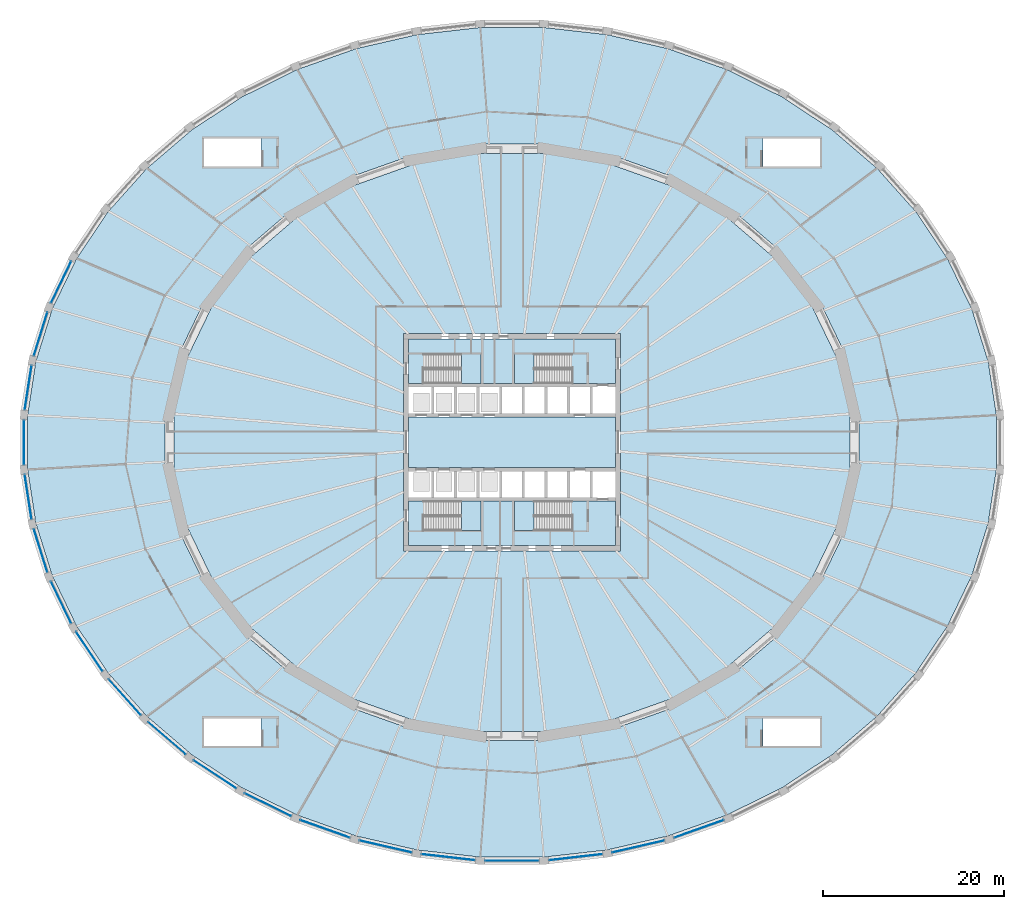
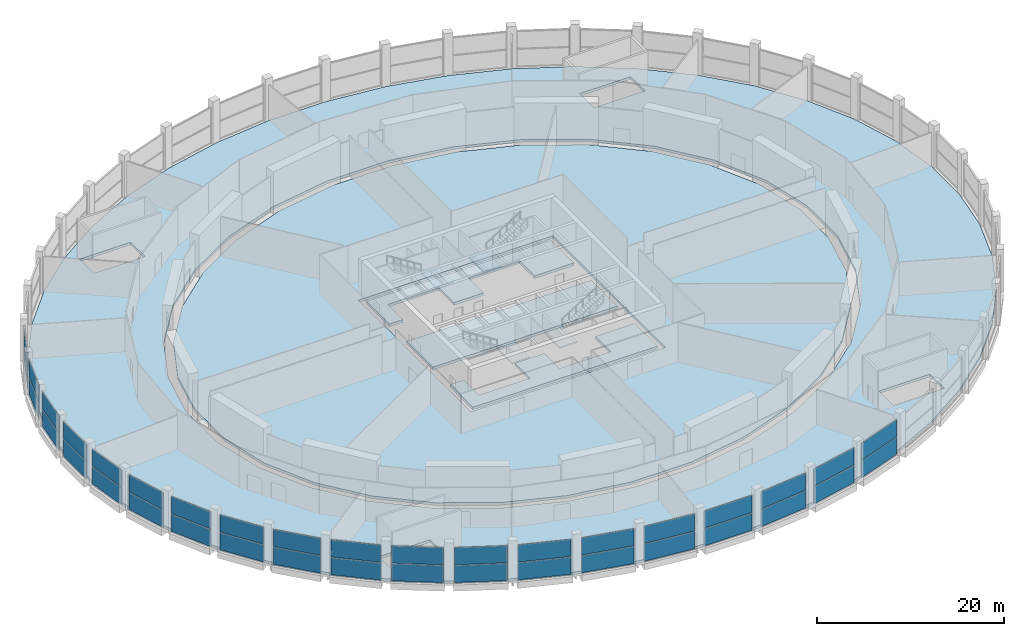
# One storey, part 17 of 26: 38 plates, 9 slabs, 23 elements without a shape of their own.
"""IFC4 building model written with IfcOpenShell, lengths in metres."""

from ifc_helpers import new_model, si_unit, direction, frame, origin, origin_2d, place, context, subcontext, project, spatial, polyline, rectangle, outline, extrude, material, layer, layer_set, type_object, element, aggregate, save


model = new_model("IFC4")

# Units and contexts
model_context = context("Model", 3, precision=1e-05, world=origin(), true_north=direction((0.0, 1.0)))
body_context = subcontext(model_context, "Body", "Model", "MODEL_VIEW")
ifc_project = project(units=[si_unit("LENGTHUNIT", "METRE"), si_unit("AREAUNIT", "SQUARE_METRE"), si_unit("VOLUMEUNIT", "CUBIC_METRE"), si_unit("PLANEANGLEUNIT", "RADIAN"), si_unit("MASSUNIT", "GRAM", prefix="KILO")], contexts=[model_context])

# Site, building, storey
site_placement = place(None, origin())
site = spatial("IfcSite", under=ifc_project, at=site_placement, CompositionType="ELEMENT")
building_placement = place(site_placement, origin())
building = spatial("IfcBuilding", under=site, at=building_placement, Name="Halqa Exchange Tower", CompositionType="ELEMENT")
storey_placement = place(building_placement, frame((0.0, 0.0, 18.0)))
storey = spatial("IfcBuildingStorey", under=building, at=storey_placement, Name="L03", CompositionType="ELEMENT", Elevation=18.0)

# Slabs
ifc_material_1 = material(Name="Concrete C60/75", Category="concrete")
ifc_layer_1 = layer(ifc_material_1, 0.35009765625)
ifc_layer_set_1 = layer_set([ifc_layer_1], Name="Concrete C60/75")
slab_type_1 = type_object("IfcSlabType", Name="Core floor slab 350", PredefinedType="FLOOR", material=ifc_layer_set_1)
slab_1_placement = place(storey_placement, frame((0.0, 0.0, -0.35009765625)))
element("IfcSlab", 1, at=slab_1_placement, inside=storey, type_object=slab_type_1, Name="Core floor slab", PredefinedType="FLOOR", context=body_context, shape_type="SweptSolid", body=[
    extrude(outline(polyline([(-11.39990234375, 2.800048828125), (11.39990234375, 2.800048828125), (11.39990234375, -2.800048828125), (-11.39990234375, -2.800048828125), (-11.39990234375, 2.800048828125)])), origin(), (0.0, 0.0, 1.0), 0.35009765625),
])
slab_2_placement = place(storey_placement, frame((0.0, 0.0, -0.35009765625)))
element("IfcSlab", 2, at=slab_2_placement, inside=storey, type_object=slab_type_1, Name="Core floor slab", PredefinedType="FLOOR", context=body_context, shape_type="SweptSolid", body=[
    extrude(outline(polyline([(-11.39990234375, 11.39990234375), (11.39990234375, 11.39990234375), (11.39990234375, 6.5), (6.550048828125, 6.5), (6.550048828125, 9.75), (0.25, 9.75), (0.25, 6.5), (-3.39990234375, 6.5), (-3.39990234375, 9.75), (-9.699951171875, 9.75), (-9.699951171875, 6.5), (-11.39990234375, 6.5), (-11.39990234375, 11.39990234375)])), origin(), (0.0, 0.0, 1.0), 0.35009765625),
])
slab_3_placement = place(storey_placement, frame((0.0, 0.0, -0.35009765625)))
element("IfcSlab", 3, at=slab_3_placement, inside=storey, type_object=slab_type_1, Name="Core floor slab", PredefinedType="FLOOR", context=body_context, shape_type="SweptSolid", body=[
    extrude(outline(polyline([(-9.699951171875, -9.75), (-3.39990234375, -9.75), (-3.39990234375, -6.5), (0.25, -6.5), (0.25, -9.75), (6.550048828125, -9.75), (6.550048828125, -6.5), (11.39990234375, -6.5), (11.39990234375, -11.39990234375), (-11.39990234375, -11.39990234375), (-11.39990234375, -6.5), (-9.699951171875, -6.5), (-9.699951171875, -9.75)])), origin(), (0.0, 0.0, 1.0), 0.35009765625),
])

# Curtain wall, plates
ifc_material_2 = material(Name="Anodised aluminium and clear glass", Category="aluminium")
curtain_wall_type = type_object("IfcCurtainWallType", Name="Exchange hall glazing", PredefinedType="NOTDEFINED", material=ifc_material_2)
curtain_wall_1_placement = place(storey_placement, origin())
curtain_wall_1 = element("IfcCurtainWall", 4, at=curtain_wall_1_placement, inside=storey, type_object=curtain_wall_type, Name="Exchange hall glazing run P21", PredefinedType="NOTDEFINED")
ifc_material_3 = material(Name="Clear glass", Category="glass")
ifc_layer_2 = layer(ifc_material_3, 0.035888671875)
ifc_layer_set_2 = layer_set([ifc_layer_2], Name="Clear glass")
plate_type = type_object("IfcPlateType", Name="Laminated clear glass panel 36", PredefinedType="CURTAIN_PANEL", material=ifc_layer_set_2)
plate_1_placement = place(storey_placement, frame((-49.78271484375, 17.680419921875, 0.06982421875), z_axis=(0.0, 0.0, 1.0), x_axis=(-0.434989864727, -0.90043534892, 0.0)))
plate_1 = element("IfcPlate", 5, at=plate_1_placement, type_object=plate_type, Name="P21 panel 1.1", PredefinedType="CURTAIN_PANEL", context=body_context, shape_type="SweptSolid", body=[
    extrude(rectangle(XDim=5.07421875, YDim=0.035888671875, at=origin_2d()), origin(), (0.0, 0.0, 1.0), 2.2451171875),
])
plate_2_placement = place(storey_placement, frame((-49.78271484375, 17.680419921875, 2.385009765625), z_axis=(0.0, 0.0, 1.0), x_axis=(-0.434989864727, -0.90043534892, 0.0)))
plate_2 = element("IfcPlate", 6, at=plate_2_placement, type_object=plate_type, Name="P21 panel 1.2", PredefinedType="CURTAIN_PANEL", context=body_context, shape_type="SweptSolid", body=[
    extrude(rectangle(XDim=5.07421875, YDim=0.035888671875, at=origin_2d()), origin(), (0.0, 0.0, 1.0), 2.2451171875),
])
aggregate(curtain_wall_1, [plate_1, plate_2])

curtain_wall_2_placement = place(storey_placement, origin())
curtain_wall_2 = element("IfcCurtainWall", 7, at=curtain_wall_2_placement, inside=storey, type_object=curtain_wall_type, Name="Exchange hall glazing run P22", PredefinedType="NOTDEFINED")
plate_3_placement = place(storey_placement, frame((-52.04833984375, 11.957763671875, 0.06982421875), z_axis=(0.0, 0.0, 1.0), x_axis=(-0.298302746613, -0.95447130463, 0.0)))
plate_3 = element("IfcPlate", 8, at=plate_3_placement, type_object=plate_type, Name="P22 panel 1.1", PredefinedType="CURTAIN_PANEL", context=body_context, shape_type="SweptSolid", body=[
    extrude(rectangle(XDim=4.989013671875, YDim=0.035888671875, at=origin_2d()), origin(), (0.0, 0.0, 1.0), 2.2451171875),
])
plate_4_placement = place(storey_placement, frame((-52.04833984375, 11.957763671875, 2.385009765625), z_axis=(0.0, 0.0, 1.0), x_axis=(-0.298302746613, -0.95447130463, 0.0)))
plate_4 = element("IfcPlate", 9, at=plate_4_placement, type_object=plate_type, Name="P22 panel 1.2", PredefinedType="CURTAIN_PANEL", context=body_context, shape_type="SweptSolid", body=[
    extrude(rectangle(XDim=4.989013671875, YDim=0.035888671875, at=origin_2d()), origin(), (0.0, 0.0, 1.0), 2.2451171875),
])
aggregate(curtain_wall_2, [plate_3, plate_4])

curtain_wall_3_placement = place(storey_placement, origin())
curtain_wall_3 = element("IfcCurtainWall", 10, at=curtain_wall_3_placement, inside=storey, type_object=curtain_wall_type, Name="Exchange hall glazing run P23", PredefinedType="NOTDEFINED")
plate_5_placement = place(storey_placement, frame((-53.42333984375, 6.030517578125, 0.06982421875), z_axis=(0.0, 0.0, 1.0), x_axis=(-0.151766957898, -0.988416304241, 0.0)))
plate_5 = element("IfcPlate", 11, at=plate_5_placement, type_object=plate_type, Name="P23 panel 1.1", PredefinedType="CURTAIN_PANEL", context=body_context, shape_type="SweptSolid", body=[
    extrude(rectangle(XDim=4.934814453125, YDim=0.035888671875, at=origin_2d()), origin(), (0.0, 0.0, 1.0), 2.2451171875),
])
plate_6_placement = place(storey_placement, frame((-53.42333984375, 6.030517578125, 2.385009765625), z_axis=(0.0, 0.0, 1.0), x_axis=(-0.151766957898, -0.988416304241, 0.0)))
plate_6 = element("IfcPlate", 12, at=plate_6_placement, type_object=plate_type, Name="P23 panel 1.2", PredefinedType="CURTAIN_PANEL", context=body_context, shape_type="SweptSolid", body=[
    extrude(rectangle(XDim=4.934814453125, YDim=0.035888671875, at=origin_2d()), origin(), (0.0, 0.0, 1.0), 2.2451171875),
])
aggregate(curtain_wall_3, [plate_5, plate_6])

curtain_wall_4_placement = place(storey_placement, origin())
curtain_wall_4 = element("IfcCurtainWall", 13, at=curtain_wall_4_placement, inside=storey, type_object=curtain_wall_type, Name="Exchange hall glazing run P24", PredefinedType="NOTDEFINED")
plate_7_placement = place(storey_placement, frame((-53.884521484375, 0.0, 0.06982421875), z_axis=(0.0, 0.0, 1.0), x_axis=(0.0, -1.0, 0.0)))
plate_7 = element("IfcPlate", 14, at=plate_7_placement, type_object=plate_type, Name="P24 panel 1.1", PredefinedType="CURTAIN_PANEL", context=body_context, shape_type="SweptSolid", body=[
    extrude(rectangle(XDim=4.91650390625, YDim=0.035888671875, at=origin_2d()), origin(), (0.0, 0.0, 1.0), 2.2451171875),
])
plate_8_placement = place(storey_placement, frame((-53.884521484375, 0.0, 2.385009765625), z_axis=(0.0, 0.0, 1.0), x_axis=(0.0, -1.0, 0.0)))
plate_8 = element("IfcPlate", 15, at=plate_8_placement, type_object=plate_type, Name="P24 panel 1.2", PredefinedType="CURTAIN_PANEL", context=body_context, shape_type="SweptSolid", body=[
    extrude(rectangle(XDim=4.91650390625, YDim=0.035888671875, at=origin_2d()), origin(), (0.0, 0.0, 1.0), 2.2451171875),
])
aggregate(curtain_wall_4, [plate_7, plate_8])

curtain_wall_5_placement = place(storey_placement, origin())
curtain_wall_5 = element("IfcCurtainWall", 16, at=curtain_wall_5_placement, inside=storey, type_object=curtain_wall_type, Name="Exchange hall glazing run P25", PredefinedType="NOTDEFINED")
plate_9_placement = place(storey_placement, frame((-53.42333984375, -6.030517578125, 0.06982421875), z_axis=(0.0, 0.0, 1.0), x_axis=(0.151766957898, -0.988416304241, 0.0)))
plate_9 = element("IfcPlate", 17, at=plate_9_placement, type_object=plate_type, Name="P25 panel 1.1", PredefinedType="CURTAIN_PANEL", context=body_context, shape_type="SweptSolid", body=[
    extrude(rectangle(XDim=4.934814453125, YDim=0.035888671875, at=origin_2d()), origin(), (0.0, 0.0, 1.0), 2.2451171875),
])
plate_10_placement = place(storey_placement, frame((-53.42333984375, -6.030517578125, 2.385009765625), z_axis=(0.0, 0.0, 1.0), x_axis=(0.151766957898, -0.988416304241, 0.0)))
plate_10 = element("IfcPlate", 18, at=plate_10_placement, type_object=plate_type, Name="P25 panel 1.2", PredefinedType="CURTAIN_PANEL", context=body_context, shape_type="SweptSolid", body=[
    extrude(rectangle(XDim=4.934814453125, YDim=0.035888671875, at=origin_2d()), origin(), (0.0, 0.0, 1.0), 2.2451171875),
])
aggregate(curtain_wall_5, [plate_9, plate_10])

curtain_wall_6_placement = place(storey_placement, origin())
curtain_wall_6 = element("IfcCurtainWall", 19, at=curtain_wall_6_placement, inside=storey, type_object=curtain_wall_type, Name="Exchange hall glazing run P26", PredefinedType="NOTDEFINED")
plate_11_placement = place(storey_placement, frame((-52.04833984375, -11.957763671875, 0.06982421875), z_axis=(0.0, 0.0, 1.0), x_axis=(0.298302746613, -0.95447130463, 0.0)))
plate_11 = element("IfcPlate", 20, at=plate_11_placement, type_object=plate_type, Name="P26 panel 1.1", PredefinedType="CURTAIN_PANEL", context=body_context, shape_type="SweptSolid", body=[
    extrude(rectangle(XDim=4.989013671875, YDim=0.035888671875, at=origin_2d()), origin(), (0.0, 0.0, 1.0), 2.2451171875),
])
plate_12_placement = place(storey_placement, frame((-52.04833984375, -11.957763671875, 2.385009765625), z_axis=(0.0, 0.0, 1.0), x_axis=(0.298302746613, -0.95447130463, 0.0)))
plate_12 = element("IfcPlate", 21, at=plate_12_placement, type_object=plate_type, Name="P26 panel 1.2", PredefinedType="CURTAIN_PANEL", context=body_context, shape_type="SweptSolid", body=[
    extrude(rectangle(XDim=4.989013671875, YDim=0.035888671875, at=origin_2d()), origin(), (0.0, 0.0, 1.0), 2.2451171875),
])
aggregate(curtain_wall_6, [plate_11, plate_12])

curtain_wall_7_placement = place(storey_placement, origin())
curtain_wall_7 = element("IfcCurtainWall", 22, at=curtain_wall_7_placement, inside=storey, type_object=curtain_wall_type, Name="Exchange hall glazing run P27", PredefinedType="NOTDEFINED")
plate_13_placement = place(storey_placement, frame((-49.78271484375, -17.680419921875, 0.06982421875), z_axis=(0.0, 0.0, 1.0), x_axis=(0.434989864727, -0.90043534892, 0.0)))
plate_13 = element("IfcPlate", 23, at=plate_13_placement, type_object=plate_type, Name="P27 panel 1.1", PredefinedType="CURTAIN_PANEL", context=body_context, shape_type="SweptSolid", body=[
    extrude(rectangle(XDim=5.07421875, YDim=0.035888671875, at=origin_2d()), origin(), (0.0, 0.0, 1.0), 2.2451171875),
])
plate_14_placement = place(storey_placement, frame((-49.78271484375, -17.680419921875, 2.385009765625), z_axis=(0.0, 0.0, 1.0), x_axis=(0.434989864727, -0.90043534892, 0.0)))
plate_14 = element("IfcPlate", 24, at=plate_14_placement, type_object=plate_type, Name="P27 panel 1.2", PredefinedType="CURTAIN_PANEL", context=body_context, shape_type="SweptSolid", body=[
    extrude(rectangle(XDim=5.07421875, YDim=0.035888671875, at=origin_2d()), origin(), (0.0, 0.0, 1.0), 2.2451171875),
])
aggregate(curtain_wall_7, [plate_13, plate_14])

curtain_wall_8_placement = place(storey_placement, origin())
curtain_wall_8 = element("IfcCurtainWall", 25, at=curtain_wall_8_placement, inside=storey, type_object=curtain_wall_type, Name="Exchange hall glazing run P28", PredefinedType="NOTDEFINED")
plate_15_placement = place(storey_placement, frame((-46.665283203125, -23.100341796875, 0.06982421875), z_axis=(0.0, 0.0, 1.0), x_axis=(0.55852230535, -0.8294895023, 0.0)))
plate_15 = element("IfcPlate", 26, at=plate_15_placement, type_object=plate_type, Name="P28 panel 1.1", PredefinedType="CURTAIN_PANEL", context=body_context, shape_type="SweptSolid", body=[
    extrude(rectangle(XDim=5.18310546875, YDim=0.035888671875, at=origin_2d()), origin(), (0.0, 0.0, 1.0), 2.2451171875),
])
plate_16_placement = place(storey_placement, frame((-46.665283203125, -23.100341796875, 2.385009765625), z_axis=(0.0, 0.0, 1.0), x_axis=(0.55852230535, -0.8294895023, 0.0)))
plate_16 = element("IfcPlate", 27, at=plate_16_placement, type_object=plate_type, Name="P28 panel 1.2", PredefinedType="CURTAIN_PANEL", context=body_context, shape_type="SweptSolid", body=[
    extrude(rectangle(XDim=5.18310546875, YDim=0.035888671875, at=origin_2d()), origin(), (0.0, 0.0, 1.0), 2.2451171875),
])
aggregate(curtain_wall_8, [plate_15, plate_16])

curtain_wall_9_placement = place(storey_placement, origin())
curtain_wall_9 = element("IfcCurtainWall", 28, at=curtain_wall_9_placement, inside=storey, type_object=curtain_wall_type, Name="Exchange hall glazing run P29", PredefinedType="NOTDEFINED")
plate_17_placement = place(storey_placement, frame((-42.749267578125, -28.125244140625, 0.06982421875), z_axis=(0.0, 0.0, 1.0), x_axis=(0.666899477539, -0.74514769466, 0.0)))
plate_17 = element("IfcPlate", 29, at=plate_17_placement, type_object=plate_type, Name="P29 panel 1.1", PredefinedType="CURTAIN_PANEL", context=body_context, shape_type="SweptSolid", body=[
    extrude(rectangle(XDim=5.30810546875, YDim=0.035888671875, at=origin_2d()), origin(), (0.0, 0.0, 1.0), 2.2451171875),
])
plate_18_placement = place(storey_placement, frame((-42.749267578125, -28.125244140625, 2.385009765625), z_axis=(0.0, 0.0, 1.0), x_axis=(0.666899477539, -0.74514769466, 0.0)))
plate_18 = element("IfcPlate", 30, at=plate_18_placement, type_object=plate_type, Name="P29 panel 1.2", PredefinedType="CURTAIN_PANEL", context=body_context, shape_type="SweptSolid", body=[
    extrude(rectangle(XDim=5.30810546875, YDim=0.035888671875, at=origin_2d()), origin(), (0.0, 0.0, 1.0), 2.2451171875),
])
aggregate(curtain_wall_9, [plate_17, plate_18])

curtain_wall_10_placement = place(storey_placement, origin())
curtain_wall_10 = element("IfcCurtainWall", 31, at=curtain_wall_10_placement, inside=storey, type_object=curtain_wall_type, Name="Exchange hall glazing run P30", PredefinedType="NOTDEFINED")
plate_19_placement = place(storey_placement, frame((-38.10205078125, -32.6689453125, 0.06982421875), z_axis=(0.0, 0.0, 1.0), x_axis=(0.759154109704, -0.650910929175, 0.0)))
plate_19 = element("IfcPlate", 32, at=plate_19_placement, type_object=plate_type, Name="P30 panel 1.1", PredefinedType="CURTAIN_PANEL", context=body_context, shape_type="SweptSolid", body=[
    extrude(rectangle(XDim=5.439208984375, YDim=0.035888671875, at=origin_2d()), origin(), (0.0, 0.0, 1.0), 2.2451171875),
])
plate_20_placement = place(storey_placement, frame((-38.10205078125, -32.6689453125, 2.385009765625), z_axis=(0.0, 0.0, 1.0), x_axis=(0.759154109704, -0.650910929175, 0.0)))
plate_20 = element("IfcPlate", 33, at=plate_20_placement, type_object=plate_type, Name="P30 panel 1.2", PredefinedType="CURTAIN_PANEL", context=body_context, shape_type="SweptSolid", body=[
    extrude(rectangle(XDim=5.439208984375, YDim=0.035888671875, at=origin_2d()), origin(), (0.0, 0.0, 1.0), 2.2451171875),
])
aggregate(curtain_wall_10, [plate_19, plate_20])

curtain_wall_11_placement = place(storey_placement, origin())
curtain_wall_11 = element("IfcCurtainWall", 34, at=curtain_wall_11_placement, inside=storey, type_object=curtain_wall_type, Name="Exchange hall glazing run P31", PredefinedType="NOTDEFINED")
plate_21_placement = place(storey_placement, frame((-32.802734375, -36.653564453125, 0.06982421875), z_axis=(0.0, 0.0, 1.0), x_axis=(0.835414753652, -0.549620040919, 0.0)))
plate_21 = element("IfcPlate", 35, at=plate_21_placement, type_object=plate_type, Name="P31 panel 1.1", PredefinedType="CURTAIN_PANEL", context=body_context, shape_type="SweptSolid", body=[
    extrude(rectangle(XDim=5.56787109375, YDim=0.035888671875, at=origin_2d()), origin(), (0.0, 0.0, 1.0), 2.2451171875),
])
plate_22_placement = place(storey_placement, frame((-32.802734375, -36.653564453125, 2.385009765625), z_axis=(0.0, 0.0, 1.0), x_axis=(0.835414753652, -0.549620040919, 0.0)))
plate_22 = element("IfcPlate", 36, at=plate_22_placement, type_object=plate_type, Name="P31 panel 1.2", PredefinedType="CURTAIN_PANEL", context=body_context, shape_type="SweptSolid", body=[
    extrude(rectangle(XDim=5.56787109375, YDim=0.035888671875, at=origin_2d()), origin(), (0.0, 0.0, 1.0), 2.2451171875),
])
aggregate(curtain_wall_11, [plate_21, plate_22])

curtain_wall_12_placement = place(storey_placement, origin())
curtain_wall_12 = element("IfcCurtainWall", 37, at=curtain_wall_12_placement, inside=storey, type_object=curtain_wall_type, Name="Exchange hall glazing run P32", PredefinedType="NOTDEFINED")
plate_23_placement = place(storey_placement, frame((-26.942138671875, -40.010986328125, 0.06982421875), z_axis=(0.0, 0.0, 1.0), x_axis=(0.896198440934, -0.443653417058, 0.0)))
plate_23 = element("IfcPlate", 38, at=plate_23_placement, type_object=plate_type, Name="P32 panel 1.1", PredefinedType="CURTAIN_PANEL", context=body_context, shape_type="SweptSolid", body=[
    extrude(rectangle(XDim=5.685791015625, YDim=0.035888671875, at=origin_2d()), origin(), (0.0, 0.0, 1.0), 2.2451171875),
])
plate_24_placement = place(storey_placement, frame((-26.942138671875, -40.010986328125, 2.385009765625), z_axis=(0.0, 0.0, 1.0), x_axis=(0.896198440934, -0.443653417058, 0.0)))
plate_24 = element("IfcPlate", 39, at=plate_24_placement, type_object=plate_type, Name="P32 panel 1.2", PredefinedType="CURTAIN_PANEL", context=body_context, shape_type="SweptSolid", body=[
    extrude(rectangle(XDim=5.685791015625, YDim=0.035888671875, at=origin_2d()), origin(), (0.0, 0.0, 1.0), 2.2451171875),
])
aggregate(curtain_wall_12, [plate_23, plate_24])

curtain_wall_13_placement = place(storey_placement, origin())
curtain_wall_13 = element("IfcCurtainWall", 40, at=curtain_wall_13_placement, inside=storey, type_object=curtain_wall_type, Name="Exchange hall glazing run P33", PredefinedType="NOTDEFINED")
plate_25_placement = place(storey_placement, frame((-20.62060546875, -42.68408203125, 0.06982421875), z_axis=(0.0, 0.0, 1.0), x_axis=(0.942328875444, -0.334688348326, 0.0)))
plate_25 = element("IfcPlate", 41, at=plate_25_placement, type_object=plate_type, Name="P33 panel 1.1", PredefinedType="CURTAIN_PANEL", context=body_context, shape_type="SweptSolid", body=[
    extrude(rectangle(XDim=5.78515625, YDim=0.035888671875, at=origin_2d()), origin(), (0.0, 0.0, 1.0), 2.2451171875),
])
plate_26_placement = place(storey_placement, frame((-20.62060546875, -42.68408203125, 2.385009765625), z_axis=(0.0, 0.0, 1.0), x_axis=(0.942328875444, -0.334688348326, 0.0)))
plate_26 = element("IfcPlate", 42, at=plate_26_placement, type_object=plate_type, Name="P33 panel 1.2", PredefinedType="CURTAIN_PANEL", context=body_context, shape_type="SweptSolid", body=[
    extrude(rectangle(XDim=5.78515625, YDim=0.035888671875, at=origin_2d()), origin(), (0.0, 0.0, 1.0), 2.2451171875),
])
aggregate(curtain_wall_13, [plate_25, plate_26])

curtain_wall_14_placement = place(storey_placement, origin())
curtain_wall_14 = element("IfcCurtainWall", 43, at=curtain_wall_14_placement, inside=storey, type_object=curtain_wall_type, Name="Exchange hall glazing run P34", PredefinedType="NOTDEFINED")
plate_27_placement = place(storey_placement, frame((-13.9462890625, -44.626708984375, 0.06982421875), z_axis=(0.0, 0.0, 1.0), x_axis=(0.974612891234, -0.223896655269, 0.0)))
plate_27 = element("IfcPlate", 44, at=plate_27_placement, type_object=plate_type, Name="P34 panel 1.1", PredefinedType="CURTAIN_PANEL", context=body_context, shape_type="SweptSolid", body=[
    extrude(rectangle(XDim=5.860595703125, YDim=0.035888671875, at=origin_2d()), origin(), (0.0, 0.0, 1.0), 2.2451171875),
])
plate_28_placement = place(storey_placement, frame((-13.9462890625, -44.626708984375, 2.385009765625), z_axis=(0.0, 0.0, 1.0), x_axis=(0.974612891234, -0.223896655269, 0.0)))
plate_28 = element("IfcPlate", 45, at=plate_28_placement, type_object=plate_type, Name="P34 panel 1.2", PredefinedType="CURTAIN_PANEL", context=body_context, shape_type="SweptSolid", body=[
    extrude(rectangle(XDim=5.860595703125, YDim=0.035888671875, at=origin_2d()), origin(), (0.0, 0.0, 1.0), 2.2451171875),
])
aggregate(curtain_wall_14, [plate_27, plate_28])

curtain_wall_15_placement = place(storey_placement, origin())
curtain_wall_15 = element("IfcCurtainWall", 46, at=curtain_wall_15_placement, inside=storey, type_object=curtain_wall_type, Name="Exchange hall glazing run P35", PredefinedType="NOTDEFINED")
plate_29_placement = place(storey_placement, frame((-7.033447265625, -45.8056640625, 0.06982421875), z_axis=(0.0, 0.0, 1.0), x_axis=(0.993690261872, -0.112159098874, 0.0)))
plate_29 = element("IfcPlate", 47, at=plate_29_placement, type_object=plate_type, Name="P35 panel 1.1", PredefinedType="CURTAIN_PANEL", context=body_context, shape_type="SweptSolid", body=[
    extrude(rectangle(XDim=5.90771484375, YDim=0.035888671875, at=origin_2d()), origin(), (0.0, 0.0, 1.0), 2.2451171875),
])
plate_30_placement = place(storey_placement, frame((-7.033447265625, -45.8056640625, 2.385009765625), z_axis=(0.0, 0.0, 1.0), x_axis=(0.993690261872, -0.112159098874, 0.0)))
plate_30 = element("IfcPlate", 48, at=plate_30_placement, type_object=plate_type, Name="P35 panel 1.2", PredefinedType="CURTAIN_PANEL", context=body_context, shape_type="SweptSolid", body=[
    extrude(rectangle(XDim=5.90771484375, YDim=0.035888671875, at=origin_2d()), origin(), (0.0, 0.0, 1.0), 2.2451171875),
])
aggregate(curtain_wall_15, [plate_29, plate_30])

curtain_wall_16_placement = place(storey_placement, origin())
curtain_wall_16 = element("IfcCurtainWall", 49, at=curtain_wall_16_placement, inside=storey, type_object=curtain_wall_type, Name="Exchange hall glazing run P36", PredefinedType="NOTDEFINED")
plate_31_placement = place(storey_placement, frame((0.0, -46.200927734375, 0.06982421875), z_axis=(0.0, 0.0, 1.0), x_axis=(1.0, 0.0, 0.0)))
plate_31 = element("IfcPlate", 50, at=plate_31_placement, type_object=plate_type, Name="P36 panel 1.1", PredefinedType="CURTAIN_PANEL", context=body_context, shape_type="SweptSolid", body=[
    extrude(rectangle(XDim=5.923583984375, YDim=0.035888671875, at=origin_2d()), origin(), (0.0, 0.0, 1.0), 2.2451171875),
])
plate_32_placement = place(storey_placement, frame((0.0, -46.200927734375, 2.385009765625), z_axis=(0.0, 0.0, 1.0), x_axis=(1.0, 0.0, 0.0)))
plate_32 = element("IfcPlate", 51, at=plate_32_placement, type_object=plate_type, Name="P36 panel 1.2", PredefinedType="CURTAIN_PANEL", context=body_context, shape_type="SweptSolid", body=[
    extrude(rectangle(XDim=5.923583984375, YDim=0.035888671875, at=origin_2d()), origin(), (0.0, 0.0, 1.0), 2.2451171875),
])
aggregate(curtain_wall_16, [plate_31, plate_32])

curtain_wall_17_placement = place(storey_placement, origin())
curtain_wall_17 = element("IfcCurtainWall", 52, at=curtain_wall_17_placement, inside=storey, type_object=curtain_wall_type, Name="Exchange hall glazing run P37", PredefinedType="NOTDEFINED")
plate_33_placement = place(storey_placement, frame((7.033447265625, -45.8056640625, 0.06982421875), z_axis=(0.0, 0.0, 1.0), x_axis=(0.993690261872, 0.112159098874, 0.0)))
plate_33 = element("IfcPlate", 53, at=plate_33_placement, type_object=plate_type, Name="P37 panel 1.1", PredefinedType="CURTAIN_PANEL", context=body_context, shape_type="SweptSolid", body=[
    extrude(rectangle(XDim=5.90771484375, YDim=0.035888671875, at=origin_2d()), origin(), (0.0, 0.0, 1.0), 2.2451171875),
])
plate_34_placement = place(storey_placement, frame((7.033447265625, -45.8056640625, 2.385009765625), z_axis=(0.0, 0.0, 1.0), x_axis=(0.993690261872, 0.112159098874, 0.0)))
plate_34 = element("IfcPlate", 54, at=plate_34_placement, type_object=plate_type, Name="P37 panel 1.2", PredefinedType="CURTAIN_PANEL", context=body_context, shape_type="SweptSolid", body=[
    extrude(rectangle(XDim=5.90771484375, YDim=0.035888671875, at=origin_2d()), origin(), (0.0, 0.0, 1.0), 2.2451171875),
])
aggregate(curtain_wall_17, [plate_33, plate_34])

curtain_wall_18_placement = place(storey_placement, origin())
curtain_wall_18 = element("IfcCurtainWall", 55, at=curtain_wall_18_placement, inside=storey, type_object=curtain_wall_type, Name="Exchange hall glazing run P38", PredefinedType="NOTDEFINED")
plate_35_placement = place(storey_placement, frame((13.9462890625, -44.626708984375, 0.06982421875), z_axis=(0.0, 0.0, 1.0), x_axis=(0.974612891234, 0.223896655269, 0.0)))
plate_35 = element("IfcPlate", 56, at=plate_35_placement, type_object=plate_type, Name="P38 panel 1.1", PredefinedType="CURTAIN_PANEL", context=body_context, shape_type="SweptSolid", body=[
    extrude(rectangle(XDim=5.860595703125, YDim=0.035888671875, at=origin_2d()), origin(), (0.0, 0.0, 1.0), 2.2451171875),
])
plate_36_placement = place(storey_placement, frame((13.9462890625, -44.626708984375, 2.385009765625), z_axis=(0.0, 0.0, 1.0), x_axis=(0.974612891234, 0.223896655269, 0.0)))
plate_36 = element("IfcPlate", 57, at=plate_36_placement, type_object=plate_type, Name="P38 panel 1.2", PredefinedType="CURTAIN_PANEL", context=body_context, shape_type="SweptSolid", body=[
    extrude(rectangle(XDim=5.860595703125, YDim=0.035888671875, at=origin_2d()), origin(), (0.0, 0.0, 1.0), 2.2451171875),
])
aggregate(curtain_wall_18, [plate_35, plate_36])

curtain_wall_19_placement = place(storey_placement, origin())
curtain_wall_19 = element("IfcCurtainWall", 58, at=curtain_wall_19_placement, inside=storey, type_object=curtain_wall_type, Name="Exchange hall glazing run P39", PredefinedType="NOTDEFINED")
plate_37_placement = place(storey_placement, frame((20.62060546875, -42.68408203125, 0.06982421875), z_axis=(0.0, 0.0, 1.0), x_axis=(0.942328875444, 0.334688348326, 0.0)))
plate_37 = element("IfcPlate", 59, at=plate_37_placement, type_object=plate_type, Name="P39 panel 1.1", PredefinedType="CURTAIN_PANEL", context=body_context, shape_type="SweptSolid", body=[
    extrude(rectangle(XDim=5.78515625, YDim=0.035888671875, at=origin_2d()), origin(), (0.0, 0.0, 1.0), 2.2451171875),
])
plate_38_placement = place(storey_placement, frame((20.62060546875, -42.68408203125, 2.385009765625), z_axis=(0.0, 0.0, 1.0), x_axis=(0.942328875444, 0.334688348326, 0.0)))
plate_38 = element("IfcPlate", 60, at=plate_38_placement, type_object=plate_type, Name="P39 panel 1.2", PredefinedType="CURTAIN_PANEL", context=body_context, shape_type="SweptSolid", body=[
    extrude(rectangle(XDim=5.78515625, YDim=0.035888671875, at=origin_2d()), origin(), (0.0, 0.0, 1.0), 2.2451171875),
])
aggregate(curtain_wall_19, [plate_37, plate_38])

# Slabs
ifc_material_4 = material(Name="Concrete C40/50", Category="concrete")
ifc_layer_3 = layer(ifc_material_4, 0.35009765625)
ifc_layer_set_3 = layer_set([ifc_layer_3], Name="Concrete C40/50")
slab_type_2 = type_object("IfcSlabType", Name="RC floor slab 350", PredefinedType="FLOOR", material=ifc_layer_set_3)
slab_4_placement = place(storey_placement, frame((0.0, 0.0, -0.35009765625)))
element("IfcSlab", 61, at=slab_4_placement, inside=storey, type_object=slab_type_2, Name="Floor slab", PredefinedType="FLOOR", context=body_context, shape_type="SweptSolid", body=[
    extrude(outline(polyline([(37.31689453125, 3.13525390625), (37.31689453125, -3.13525390625), (35.88916015625, -9.28759765625), (33.0859375, -15.088623046875), (29.010986328125, -20.316162109375), (23.8173828125, -24.767578125), (17.70361328125, -28.269287109375), (10.904296875, -30.683349609375), (3.682373046875, -31.91455078125), (-3.682373046875, -31.91455078125), (-10.904296875, -30.683349609375), (-17.70361328125, -28.269287109375), (-23.8173828125, -24.767578125), (-29.010986328125, -20.316162109375), (-33.0859375, -15.088623046875), (-35.88916015625, -9.28759765625), (-37.31689453125, -3.13525390625), (-37.31689453125, 3.13525390625), (-35.88916015625, 9.28759765625), (-33.0859375, 15.088623046875), (-29.010986328125, 20.316162109375), (-23.8173828125, 24.767578125), (-17.70361328125, 28.269287109375), (-10.904296875, 30.683349609375), (-3.682373046875, 31.91455078125), (3.682373046875, 31.91455078125), (10.904296875, 30.683349609375), (17.70361328125, 28.269287109375), (23.8173828125, 24.767578125), (29.010986328125, 20.316162109375), (33.0859375, 15.088623046875), (35.88916015625, 9.28759765625), (37.31689453125, 3.13525390625)]), holes=[polyline([(-12.0, -12.0), (12.0, -12.0), (12.0, 12.0), (-12.0, 12.0), (-12.0, -12.0)])]), origin(), (0.0, 0.0, 1.0), 0.35009765625),
])
slab_5_placement = place(storey_placement, frame((0.0, 0.0, -0.35009765625)))
element("IfcSlab", 62, at=slab_5_placement, inside=storey, type_object=slab_type_2, Name="Podium floor slab", PredefinedType="FLOOR", context=body_context, shape_type="SweptSolid", body=[
    extrude(outline(polyline([(53.484375, 2.997802734375), (53.484375, -2.997802734375), (52.571533203125, -8.942138671875), (50.76123046875, -14.735107421875), (48.08349609375, -20.2783203125), (44.5830078125, -25.476806640625), (40.31884765625, -30.2412109375), (35.363525390625, -34.489990234375), (29.801513671875, -38.1494140625), (23.727294921875, -41.15625), (17.24560546875, -43.458251953125), (10.467529296875, -45.015380859375), (3.50927734375, -45.80078125), (-3.50927734375, -45.80078125), (-10.467529296875, -45.015380859375), (-17.24560546875, -43.458251953125), (-23.727294921875, -41.15625), (-29.801513671875, -38.1494140625), (-35.363525390625, -34.489990234375), (-40.31884765625, -30.2412109375), (-44.5830078125, -25.476806640625), (-48.08349609375, -20.2783203125), (-50.76123046875, -14.735107421875), (-52.571533203125, -8.942138671875), (-53.484375, -2.997802734375), (-53.484375, 2.997802734375), (-52.571533203125, 8.942138671875), (-50.76123046875, 14.735107421875), (-48.08349609375, 20.2783203125), (-44.5830078125, 25.476806640625), (-40.31884765625, 30.2412109375), (-35.363525390625, 34.489990234375), (-29.801513671875, 38.1494140625), (-23.727294921875, 41.15625), (-17.24560546875, 43.458251953125), (-10.467529296875, 45.015380859375), (-3.50927734375, 45.80078125), (3.50927734375, 45.80078125), (10.467529296875, 45.015380859375), (17.24560546875, 43.458251953125), (23.727294921875, 41.15625), (29.801513671875, 38.1494140625), (35.363525390625, 34.489990234375), (40.31884765625, 30.2412109375), (44.5830078125, 25.476806640625), (48.08349609375, 20.2783203125), (50.76123046875, 14.735107421875), (52.571533203125, 8.942138671875), (53.484375, 2.997802734375)]), holes=[polyline([(38.31689453125, 3.25), (38.31689453125, -3.25), (36.838134765625, -9.622314453125), (33.93994140625, -15.619384765625), (29.73779296875, -21.010009765625), (24.396484375, -25.58837890625), (18.122802734375, -29.181640625), (11.157470703125, -31.654541015625), (3.76708984375, -32.91455078125), (-3.76708984375, -32.91455078125), (-11.157470703125, -31.654541015625), (-18.122802734375, -29.181640625), (-24.396484375, -25.58837890625), (-29.73779296875, -21.010009765625), (-33.93994140625, -15.619384765625), (-36.838134765625, -9.622314453125), (-38.31689453125, -3.25), (-38.31689453125, 3.25), (-36.838134765625, 9.622314453125), (-33.93994140625, 15.619384765625), (-29.73779296875, 21.010009765625), (-24.396484375, 25.58837890625), (-18.122802734375, 29.181640625), (-11.157470703125, 31.654541015625), (-3.76708984375, 32.91455078125), (3.76708984375, 32.91455078125), (11.157470703125, 31.654541015625), (18.122802734375, 29.181640625), (24.396484375, 25.58837890625), (29.73779296875, 21.010009765625), (33.93994140625, 15.619384765625), (36.838134765625, 9.622314453125), (38.31689453125, 3.25)]), polyline([(27.699951171875, 30.47509765625), (34.0, 30.47509765625), (34.0, 33.52490234375), (27.699951171875, 33.52490234375), (27.699951171875, 30.47509765625)]), polyline([(27.699951171875, -33.52490234375), (34.0, -33.52490234375), (34.0, -30.47509765625), (27.699951171875, -30.47509765625), (27.699951171875, -33.52490234375)]), polyline([(-34.0, 30.47509765625), (-27.699951171875, 30.47509765625), (-27.699951171875, 33.52490234375), (-34.0, 33.52490234375), (-34.0, 30.47509765625)]), polyline([(-34.0, -33.52490234375), (-27.699951171875, -33.52490234375), (-27.699951171875, -30.47509765625), (-34.0, -30.47509765625), (-34.0, -33.52490234375)])]), origin(), (0.0, 0.0, 1.0), 0.35009765625),
])

# Stair, slab
ifc_material_5 = material(Name="Concrete C30/37", Category="concrete")
stair_type = type_object("IfcStairType", Name="Exit stair 1500 wide", PredefinedType="HALF_TURN_STAIR", material=ifc_material_5)
stair_1_placement = place(storey_placement, origin())
stair_1 = element("IfcStair", 63, at=stair_1_placement, inside=storey, type_object=stair_type, Name="Exit stair ST1", PredefinedType="HALF_TURN_STAIR")
ifc_layer_4 = layer(ifc_material_5, 0.199951171875)
ifc_layer_set_4 = layer_set([ifc_layer_4], Name="Concrete C30/37")
slab_type_3 = type_object("IfcSlabType", Name="Stair landing 200 slab", PredefinedType="LANDING", material=ifc_layer_set_4)
slab_6_placement = place(storey_placement, frame((0.0, 0.0, 2.550048828125)))
slab_6 = element("IfcSlab", 64, at=slab_6_placement, type_object=slab_type_3, Name="ST1 landing 1", PredefinedType="LANDING", context=body_context, shape_type="SweptSolid", body=[
    extrude(outline(polyline([(-5.60009765625, 6.5), (-3.39990234375, 6.5), (-3.39990234375, 9.75), (-5.60009765625, 9.75), (-5.60009765625, 6.5)])), origin(), (0.0, 0.0, 1.0), 0.199951171875),
])
aggregate(stair_1, [slab_6])

stair_2_placement = place(storey_placement, origin())
stair_2 = element("IfcStair", 65, at=stair_2_placement, inside=storey, type_object=stair_type, Name="Exit stair ST2", PredefinedType="HALF_TURN_STAIR")
slab_7_placement = place(storey_placement, frame((0.0, 0.0, 2.550048828125)))
slab_7 = element("IfcSlab", 66, at=slab_7_placement, type_object=slab_type_3, Name="ST2 landing 1", PredefinedType="LANDING", context=body_context, shape_type="SweptSolid", body=[
    extrude(outline(polyline([(0.25, 6.5), (2.449951171875, 6.5), (2.449951171875, 9.75), (0.25, 9.75), (0.25, 6.5)])), origin(), (0.0, 0.0, 1.0), 0.199951171875),
])
aggregate(stair_2, [slab_7])

stair_3_placement = place(storey_placement, origin())
stair_3 = element("IfcStair", 67, at=stair_3_placement, inside=storey, type_object=stair_type, Name="Exit stair ST3", PredefinedType="HALF_TURN_STAIR")
slab_8_placement = place(storey_placement, frame((0.0, 0.0, 2.550048828125)))
slab_8 = element("IfcSlab", 68, at=slab_8_placement, type_object=slab_type_3, Name="ST3 landing 1", PredefinedType="LANDING", context=body_context, shape_type="SweptSolid", body=[
    extrude(outline(polyline([(-5.60009765625, -9.75), (-3.39990234375, -9.75), (-3.39990234375, -6.5), (-5.60009765625, -6.5), (-5.60009765625, -9.75)])), origin(), (0.0, 0.0, 1.0), 0.199951171875),
])
aggregate(stair_3, [slab_8])

stair_4_placement = place(storey_placement, origin())
stair_4 = element("IfcStair", 69, at=stair_4_placement, inside=storey, type_object=stair_type, Name="Exit stair ST4", PredefinedType="HALF_TURN_STAIR")
slab_9_placement = place(storey_placement, frame((0.0, 0.0, 2.550048828125)))
slab_9 = element("IfcSlab", 70, at=slab_9_placement, type_object=slab_type_3, Name="ST4 landing 1", PredefinedType="LANDING", context=body_context, shape_type="SweptSolid", body=[
    extrude(outline(polyline([(0.25, -9.75), (2.449951171875, -9.75), (2.449951171875, -6.5), (0.25, -6.5), (0.25, -9.75)])), origin(), (0.0, 0.0, 1.0), 0.199951171875),
])
aggregate(stair_4, [slab_9])

save(model, "model.ifc")
